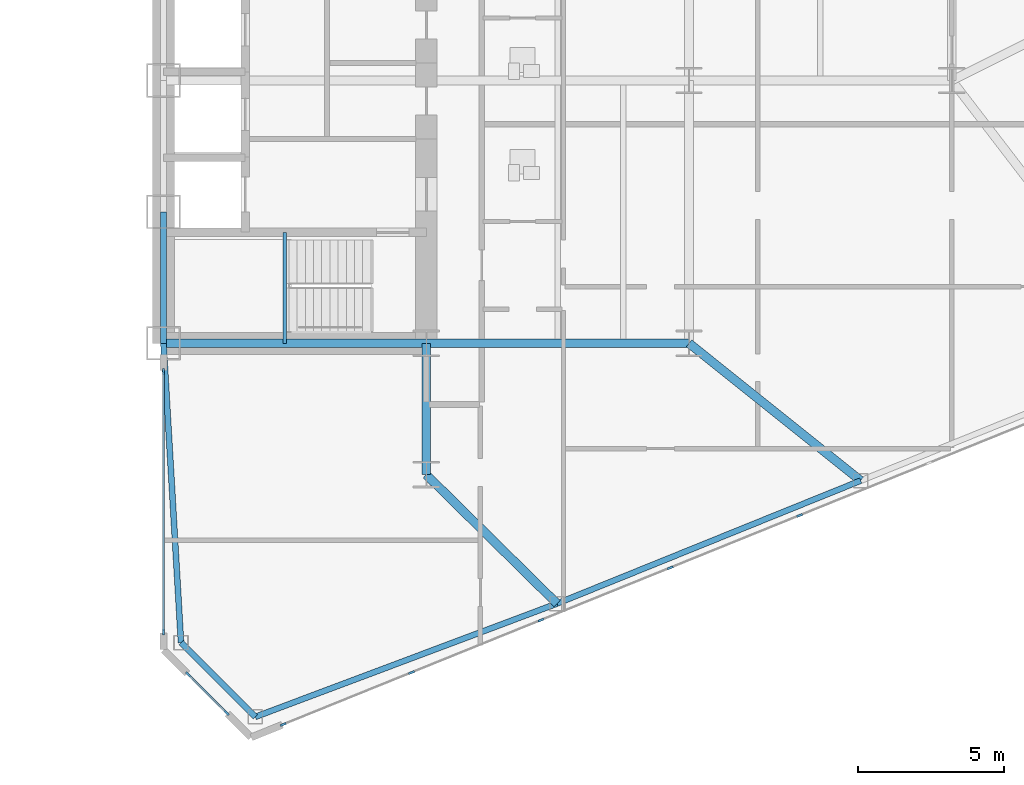
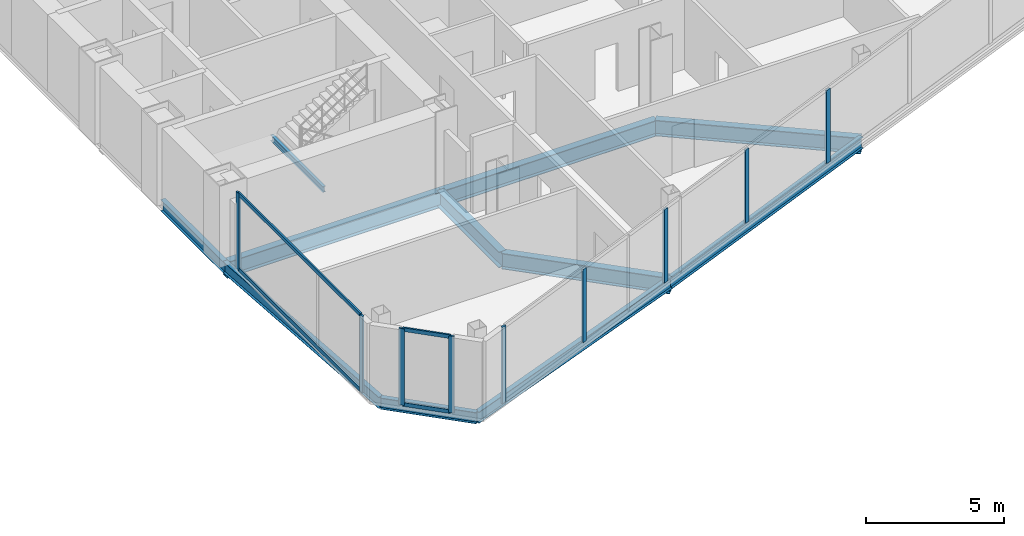
# One storey, part 9 of 25: 13 members, 11 beams, 3 elements without a shape of their own.
"""IFC4 building model written with IfcOpenShell, lengths in metres."""

from ifc_helpers import new_model, si_unit, direction, frame, origin, origin_2d, place, context, subcontext, project, spatial, rectangle, i_section, extrude, source, transform, mapped, material, layer, layer_set, material_profile, profile_set, type_object, type_shapes, element, aggregate, save


model = new_model("IFC4")

# Units and contexts
model_context = context("Model", 3, precision=1e-05, world=origin(), true_north=direction((0.0, 1.0)))
body_context = subcontext(model_context, "Body", "Model", "MODEL_VIEW")
ifc_project = project(units=[si_unit("LENGTHUNIT", "METRE"), si_unit("AREAUNIT", "SQUARE_METRE"), si_unit("VOLUMEUNIT", "CUBIC_METRE"), si_unit("PLANEANGLEUNIT", "RADIAN"), si_unit("MASSUNIT", "GRAM", prefix="KILO")], contexts=[model_context])

# Site, building, storey
site_placement = place(None, origin())
site = spatial("IfcSite", under=ifc_project, at=site_placement, CompositionType="ELEMENT")
building_placement = place(site_placement, origin())
building = spatial("IfcBuilding", under=site, at=building_placement, Name="Seokmaru Belvedere", CompositionType="ELEMENT")
storey_placement = place(building_placement, frame((0.0, 0.0, 29.699951171875)))
storey = spatial("IfcBuildingStorey", under=building, at=storey_placement, Name="L07", CompositionType="ELEMENT", Elevation=29.699951171875)

# Beams
ifc_material_1 = material(Name="Steel SM355 (355 MPa)", Category="steel")
ifc_material_profile_1 = material_profile(ifc_material_1, i_section(OverallWidth=0.199951171875, OverallDepth=0.5, WebThickness=0.010009765625, FlangeThickness=0.01611328125, at=origin_2d()), Name="H-500x200x10x16")
ifc_profile_set_1 = profile_set([ifc_material_profile_1], Name="Steel SM355 (355 MPa)")
beam_type_1 = type_object("IfcBeamType", Name="Perimeter Spandrel Beam H-500", PredefinedType="SPANDREL", material=ifc_profile_set_1)
shared_shape_1 = source(origin(), body_context, "Body", "SweptSolid", [
    extrude(i_section(OverallWidth=0.199951171875, OverallDepth=0.5, WebThickness=0.010009765625, FlangeThickness=0.01611328125, at=origin_2d()), origin(), (0.0, 0.0, 1.0), 4.5),
])
beam_1_placement = place(storey_placement, frame((27.5, -13.5, -0.469970703125), z_axis=(0.0, 1.0, 0.0), x_axis=(-1.0, 0.0, 0.0)))
element("IfcBeam", 1, at=beam_1_placement, inside=storey, type_object=beam_type_1, Name="L07 E Portal Spine Spandrel 1", PredefinedType="SPANDREL", context=body_context, shape_type="MappedRepresentation", body=[
    mapped(shared_shape_1, transform((0.0, 0.0, 0.0), scale=1.0)),
])
ifc_material_profile_2 = material_profile(ifc_material_1, i_section(OverallWidth=0.300048828125, OverallDepth=0.699951171875, WebThickness=0.012939453125, FlangeThickness=0.02392578125, at=origin_2d()), Name="H-700x300x13x24")
ifc_profile_set_2 = profile_set([ifc_material_profile_2], Name="Steel SM355 (355 MPa)")
beam_type_2 = type_object("IfcBeamType", Name="Primary Floor Girder H-700", PredefinedType="BEAM", material=ifc_profile_set_2)
shared_shape_2 = source(origin(), body_context, "Body", "SweptSolid", [
    extrude(i_section(OverallWidth=0.300048828125, OverallDepth=0.699951171875, WebThickness=0.012939453125, FlangeThickness=0.02392578125, at=origin_2d()), origin(), (0.0, 0.0, 1.0), 4.5),
])
beam_2_placement = place(storey_placement, frame((36.5, -18.0, -0.570068359375), z_axis=(0.0, 1.0, 0.0), x_axis=(-1.0, 0.0, 0.0)))
element("IfcBeam", 2, at=beam_2_placement, inside=storey, type_object=beam_type_2, Name="L07 E Core Shoulder Girder S", PredefinedType="BEAM", context=body_context, shape_type="MappedRepresentation", body=[
    mapped(shared_shape_2, transform((0.0, 0.0, 0.0), scale=1.0)),
])
shared_shape_3 = source(origin(), body_context, "Body", "SweptSolid", [
    extrude(i_section(OverallWidth=0.300048828125, OverallDepth=0.699951171875, WebThickness=0.012939453125, FlangeThickness=0.02392578125, at=origin_2d()), origin(), (0.0, 0.0, 1.0), 9.0),
])
for number, where, z_axis, x_axis, name in (
    (3, (27.5, -13.5, -0.570068359375), (1.0, 0.0, 0.0), (0.0, 1.0, 0.0), "L07 E Core Tie Girder 1"),
    (4, (36.5, -13.5, -0.570068359375), (1.0, 0.0, 0.0), (0.0, 1.0, 0.0), "L07 E Wing Primary Girder 1"),
):
    element("IfcBeam", number, at=place(storey_placement, frame(where, z_axis=z_axis, x_axis=x_axis)), inside=storey, type_object=beam_type_2, Name=name, PredefinedType="BEAM", context=body_context, shape_type="MappedRepresentation", body=[
        mapped(shared_shape_3, transform((0.0, 0.0, 0.0), scale=1.0)),
    ])
shared_shape_4 = source(origin(), body_context, "Body", "SweptSolid", [
    extrude(i_section(OverallWidth=0.199951171875, OverallDepth=0.5, WebThickness=0.010009765625, FlangeThickness=0.01611328125, at=origin_2d()), origin(), (0.0, 0.0, 1.0), 11.03857421875),
])
beam_3_placement = place(storey_placement, frame((30.643310546875, -26.294677734375, -0.469970703125), z_axis=(0.936169110734, 0.351549990907, 0.0), x_axis=(-0.351549990907, 0.936169110734, 0.0)))
element("IfcBeam", 5, at=beam_3_placement, inside=storey, type_object=beam_type_1, Name="L07 E Faceted Flank Spandrel S-1", PredefinedType="SPANDREL", context=body_context, shape_type="MappedRepresentation", body=[
    mapped(shared_shape_4, transform((0.0, 0.0, 0.0), scale=1.0)),
])
shared_shape_5 = source(origin(), body_context, "Body", "SweptSolid", [
    extrude(i_section(OverallWidth=0.199951171875, OverallDepth=0.5, WebThickness=0.010009765625, FlangeThickness=0.01611328125, at=origin_2d()), origin(), (0.0, 0.0, 1.0), 11.220703125),
])
beam_4_placement = place(storey_placement, frame((40.977294921875, -22.4140625, -0.469970703125), z_axis=(0.926944290816, 0.375198989503, 0.0), x_axis=(-0.375198989503, 0.926944290816, 0.0)))
element("IfcBeam", 6, at=beam_4_placement, inside=storey, type_object=beam_type_1, Name="L07 E Faceted Flank Spandrel S-2", PredefinedType="SPANDREL", context=body_context, shape_type="MappedRepresentation", body=[
    mapped(shared_shape_5, transform((0.0, 0.0, 0.0), scale=1.0)),
])
shared_shape_6 = source(origin(), body_context, "Body", "SweptSolid", [
    extrude(i_section(OverallWidth=0.199951171875, OverallDepth=0.5, WebThickness=0.010009765625, FlangeThickness=0.01611328125, at=origin_2d()), origin(), (0.0, 0.0, 1.0), 3.5966796875),
])
beam_5_placement = place(storey_placement, frame((30.643310546875, -26.294677734375, -0.469970703125), z_axis=(-0.707106781187, 0.707106781187, 0.0), x_axis=(-0.707106781187, -0.707106781187, 0.0)))
element("IfcBeam", 7, at=beam_5_placement, inside=storey, type_object=beam_type_1, Name="L07 E Shoulder Chamfer Spandrel S", PredefinedType="SPANDREL", context=body_context, shape_type="MappedRepresentation", body=[
    mapped(shared_shape_6, transform((0.0, 0.0, 0.0), scale=1.0)),
])
shared_shape_7 = source(origin(), body_context, "Body", "SweptSolid", [
    extrude(i_section(OverallWidth=0.199951171875, OverallDepth=0.5, WebThickness=0.010009765625, FlangeThickness=0.01611328125, at=origin_2d()), origin(), (0.0, 0.0, 1.0), 10.26904296875),
])
type_shapes(beam_type_1, [shared_shape_1, shared_shape_4, shared_shape_5, shared_shape_6, shared_shape_7])
beam_6_placement = place(storey_placement, frame((28.10009765625, -23.75146484375, -0.469970703125), z_axis=(-0.058437709399, 0.998291056817, 0.0), x_axis=(-0.998291056817, -0.058437709399, 0.0)))
element("IfcBeam", 8, at=beam_6_placement, inside=storey, type_object=beam_type_1, Name="L07 E Shoulder Spine Spandrel S", PredefinedType="SPANDREL", context=body_context, shape_type="MappedRepresentation", body=[
    mapped(shared_shape_7, transform((0.0, 0.0, 0.0), scale=1.0)),
])
shared_shape_8 = source(origin(), body_context, "Body", "SweptSolid", [
    extrude(i_section(OverallWidth=0.300048828125, OverallDepth=0.699951171875, WebThickness=0.012939453125, FlangeThickness=0.02392578125, at=origin_2d()), origin(), (0.0, 0.0, 1.0), 6.287353515625),
])
beam_7_placement = place(storey_placement, frame((40.977294921875, -22.4140625, -0.570068359375), z_axis=(-0.712117485263, 0.702060315915, 0.0), x_axis=(-0.702060315915, -0.712117485263, 0.0)))
element("IfcBeam", 9, at=beam_7_placement, inside=storey, type_object=beam_type_2, Name="L07 E Flank Radial Floor Girder S-1", PredefinedType="BEAM", context=body_context, shape_type="MappedRepresentation", body=[
    mapped(shared_shape_8, transform((0.0, 0.0, 0.0), scale=1.0)),
])
shared_shape_9 = source(origin(), body_context, "Body", "SweptSolid", [
    extrude(i_section(OverallWidth=0.300048828125, OverallDepth=0.699951171875, WebThickness=0.012939453125, FlangeThickness=0.02392578125, at=origin_2d()), origin(), (0.0, 0.0, 1.0), 7.52880859375),
])
type_shapes(beam_type_2, [shared_shape_2, shared_shape_3, shared_shape_8, shared_shape_9])
beam_8_placement = place(storey_placement, frame((51.378173828125, -18.2041015625, -0.570068359375), z_axis=(-0.780767560736, 0.624821587418, 0.0), x_axis=(-0.624821587418, -0.780767560736, 0.0)))
element("IfcBeam", 10, at=beam_8_placement, inside=storey, type_object=beam_type_2, Name="L07 E Flank Radial Floor Girder S-2", PredefinedType="BEAM", context=body_context, shape_type="MappedRepresentation", body=[
    mapped(shared_shape_9, transform((0.0, 0.0, 0.0), scale=1.0)),
])

# Curtain wall, member
ifc_material_2 = material(Name="Bronze Triple Insulating Glass", Category="glass")
ifc_layer = layer(ifc_material_2, 0.2099609375)
ifc_layer_set = layer_set([ifc_layer], Name="Bronze Triple Insulating Glass")
curtain_wall_type = type_object("IfcCurtainWallType", Name="Low-Rise Faceted Crystal Curtain Wall System CW-2", PredefinedType="NOTDEFINED", material=ifc_layer_set)
curtain_wall_1_placement = place(storey_placement, origin())
curtain_wall_1 = element("IfcCurtainWall", 11, at=curtain_wall_1_placement, inside=storey, type_object=curtain_wall_type, Name="L07 Curtain Wall EF1", PredefinedType="NOTDEFINED")
ifc_material_3 = material(Name="Anodised Bronze Aluminium", Category="aluminium")
ifc_material_profile_3 = material_profile(ifc_material_3, rectangle(XDim=0.074951171875, YDim=0.2099609375, at=origin_2d()), Name="CW-M-75x210")
ifc_profile_set_3 = profile_set([ifc_material_profile_3], Name="Anodised Bronze Aluminium")
member_type_1 = type_object("IfcMemberType", Name="Bronze Unitised Mullion 75x210", PredefinedType="MULLION", material=ifc_profile_set_3)
shared_shape_10 = source(origin(), body_context, "Body", "SweptSolid", [
    extrude(rectangle(XDim=0.074951171875, YDim=0.2099609375, at=origin_2d()), origin(), (0.0, 0.0, 1.0), 3.380126953125),
])
member_1_placement = place(storey_placement, frame((31.600830078125, -26.554443359375, 0.0), z_axis=(0.0, 0.0, 1.0), x_axis=(-0.375192321888, 0.926946989637, 0.0)))
member_1 = element("IfcMember", 12, at=member_1_placement, type_object=member_type_1, Name="CW:L07:EF1 Mullion 1", PredefinedType="MULLION", context=body_context, shape_type="MappedRepresentation", body=[
    mapped(shared_shape_10, transform((0.0, 0.0, 0.0), scale=1.0)),
])

# Curtain wall, members
curtain_wall_2_placement = place(storey_placement, origin())
curtain_wall_2 = element("IfcCurtainWall", 13, at=curtain_wall_2_placement, inside=storey, type_object=curtain_wall_type, Name="L07 Curtain Wall ESP_1", PredefinedType="NOTDEFINED")
member_2_placement = place(storey_placement, frame((27.5, -14.467529296875, 0.0), z_axis=(0.0, 0.0, 1.0), x_axis=(1.0, 0.0, 0.0)))
member_2 = element("IfcMember", 14, at=member_2_placement, type_object=member_type_1, Name="CW:L07:ESP_1 Mullion 1", PredefinedType="MULLION", context=body_context, shape_type="MappedRepresentation", body=[
    mapped(shared_shape_10, transform((0.0, 0.0, 0.0), scale=1.0)),
])
member_3_placement = place(storey_placement, frame((27.5, -23.392578125, 0.0), z_axis=(0.0, 0.0, 1.0), x_axis=(1.0, 0.0, 0.0)))
member_3 = element("IfcMember", 15, at=member_3_placement, type_object=member_type_1, Name="CW:L07:ESP_1 Mullion 2", PredefinedType="MULLION", context=body_context, shape_type="MappedRepresentation", body=[
    mapped(shared_shape_10, transform((0.0, 0.0, 0.0), scale=1.0)),
])

curtain_wall_3_placement = place(storey_placement, origin())
curtain_wall_3 = element("IfcCurtainWall", 16, at=curtain_wall_3_placement, inside=storey, type_object=curtain_wall_type, Name="L07 Curtain Wall EF6", PredefinedType="NOTDEFINED")
member_4_placement = place(storey_placement, frame((28.339599609375, -24.839599609375, 0.0), z_axis=(0.0, 0.0, 1.0), x_axis=(0.707106781187, 0.707106781187, 0.0)))
member_4 = element("IfcMember", 17, at=member_4_placement, type_object=member_type_1, Name="CW:L07:EF6 Mullion 1", PredefinedType="MULLION", context=body_context, shape_type="MappedRepresentation", body=[
    mapped(shared_shape_10, transform((0.0, 0.0, 0.0), scale=1.0)),
])
member_5_placement = place(storey_placement, frame((29.660400390625, -26.160400390625, 0.0), z_axis=(0.0, 0.0, 1.0), x_axis=(0.707106781187, 0.707106781187, 0.0)))
member_5 = element("IfcMember", 18, at=member_5_placement, type_object=member_type_1, Name="CW:L07:EF6 Mullion 2", PredefinedType="MULLION", context=body_context, shape_type="MappedRepresentation", body=[
    mapped(shared_shape_10, transform((0.0, 0.0, 0.0), scale=1.0)),
])

# Member
ifc_material_profile_4 = material_profile(ifc_material_3, rectangle(XDim=0.070068359375, YDim=0.1650390625, at=origin_2d()), Name="CW-T-70x165")
ifc_profile_set_4 = profile_set([ifc_material_profile_4], Name="Anodised Bronze Aluminium")
member_type_2 = type_object("IfcMemberType", Name="Bronze Unitised Transom 70x165", PredefinedType="USERDEFINED", material=ifc_profile_set_4)
shared_shape_11 = source(origin(), body_context, "Body", "SweptSolid", [
    extrude(rectangle(XDim=0.070068359375, YDim=0.1650390625, at=origin_2d()), origin(), (0.0, 0.0, 1.0), 8.85009765625),
])
member_6_placement = place(storey_placement, frame((27.5, -14.5048828125, 0.03515625), z_axis=(0.0, -1.0, 0.0), x_axis=(1.0, 0.0, 0.0)))
member_6 = element("IfcMember", 19, at=member_6_placement, type_object=member_type_2, Name="CW:L07:ESP_1 Continuous Transom 1", ObjectType="TRANSOM", PredefinedType="USERDEFINED", context=body_context, shape_type="MappedRepresentation", body=[
    mapped(shared_shape_11, transform((0.0, 0.0, 0.0), scale=1.0)),
])

member_7_placement = place(storey_placement, frame((27.5, -14.5048828125, 3.344970703125), z_axis=(0.0, -1.0, 0.0), x_axis=(1.0, 0.0, 0.0)))
member_7 = element("IfcMember", 20, at=member_7_placement, type_object=member_type_2, Name="CW:L07:ESP_1 Continuous Transom 2", ObjectType="TRANSOM", PredefinedType="USERDEFINED", context=body_context, shape_type="MappedRepresentation", body=[
    mapped(shared_shape_11, transform((0.0, 0.0, 0.0), scale=1.0)),
])

aggregate(curtain_wall_2, [member_2, member_3, member_6, member_7])

shared_shape_12 = source(origin(), body_context, "Body", "SweptSolid", [
    extrude(rectangle(XDim=0.070068359375, YDim=0.1650390625, at=origin_2d()), origin(), (0.0, 0.0, 1.0), 1.792724609375),
])
type_shapes(member_type_2, [shared_shape_11, shared_shape_12])
member_8_placement = place(storey_placement, frame((28.3662109375, -24.8662109375, 0.03515625), z_axis=(0.707106781187, -0.707106781187, 0.0), x_axis=(0.707106781187, 0.707106781187, 0.0)))
member_8 = element("IfcMember", 21, at=member_8_placement, type_object=member_type_2, Name="CW:L07:EF6 Continuous Transom 1", ObjectType="TRANSOM", PredefinedType="USERDEFINED", context=body_context, shape_type="MappedRepresentation", body=[
    mapped(shared_shape_12, transform((0.0, 0.0, 0.0), scale=1.0)),
])

member_9_placement = place(storey_placement, frame((28.3662109375, -24.8662109375, 3.344970703125), z_axis=(0.707106781187, -0.707106781187, 0.0), x_axis=(0.707106781187, 0.707106781187, 0.0)))
member_9 = element("IfcMember", 22, at=member_9_placement, type_object=member_type_2, Name="CW:L07:EF6 Continuous Transom 2", ObjectType="TRANSOM", PredefinedType="USERDEFINED", context=body_context, shape_type="MappedRepresentation", body=[
    mapped(shared_shape_12, transform((0.0, 0.0, 0.0), scale=1.0)),
])

aggregate(curtain_wall_3, [member_4, member_5, member_8, member_9])

shared_shape_13 = source(origin(), body_context, "Body", "SweptSolid", [
    extrude(rectangle(XDim=0.074951171875, YDim=0.2099609375, at=origin_2d()), origin(), (0.0, 0.0, 1.0), 3.239990234375),
])
type_shapes(member_type_1, [shared_shape_10, shared_shape_13])
member_10_placement = place(storey_placement, frame((35.995849609375, -24.775390625, 0.070068359375), z_axis=(0.0, 0.0, 1.0), x_axis=(-0.375192321888, 0.926946989637, 0.0)))
member_10 = element("IfcMember", 23, at=member_10_placement, type_object=member_type_1, Name="CW:L07:EF1 Mullion 2", PredefinedType="MULLION", context=body_context, shape_type="MappedRepresentation", body=[
    mapped(shared_shape_13, transform((0.0, 0.0, 0.0), scale=1.0)),
])

member_11_placement = place(storey_placement, frame((40.425537109375, -22.982421875, 0.070068359375), z_axis=(0.0, 0.0, 1.0), x_axis=(-0.375192321888, 0.926946989637, 0.0)))
member_11 = element("IfcMember", 24, at=member_11_placement, type_object=member_type_1, Name="CW:L07:EF1 Mullion 3", PredefinedType="MULLION", context=body_context, shape_type="MappedRepresentation", body=[
    mapped(shared_shape_13, transform((0.0, 0.0, 0.0), scale=1.0)),
])

member_12_placement = place(storey_placement, frame((44.855224609375, -21.189453125, 0.070068359375), z_axis=(0.0, 0.0, 1.0), x_axis=(-0.375192321888, 0.926946989637, 0.0)))
member_12 = element("IfcMember", 25, at=member_12_placement, type_object=member_type_1, Name="CW:L07:EF1 Mullion 4", PredefinedType="MULLION", context=body_context, shape_type="MappedRepresentation", body=[
    mapped(shared_shape_13, transform((0.0, 0.0, 0.0), scale=1.0)),
])

member_13_placement = place(storey_placement, frame((49.28515625, -19.396484375, 0.070068359375), z_axis=(0.0, 0.0, 1.0), x_axis=(-0.375192321888, 0.926946989637, 0.0)))
member_13 = element("IfcMember", 26, at=member_13_placement, type_object=member_type_1, Name="CW:L07:EF1 Mullion 5", PredefinedType="MULLION", context=body_context, shape_type="MappedRepresentation", body=[
    mapped(shared_shape_13, transform((0.0, 0.0, 0.0), scale=1.0)),
])

aggregate(curtain_wall_1, [member_1, member_10, member_11, member_12, member_13])

# Beam
ifc_material_profile_5 = material_profile(ifc_material_1, i_section(OverallWidth=0.125, OverallDepth=0.25, WebThickness=0.006103515625, FlangeThickness=0.009033203125, at=origin_2d()), Name="H-250x125x6x9")
ifc_profile_set_5 = profile_set([ifc_material_profile_5], Name="Steel SM355 (355 MPa)")
beam_type_3 = type_object("IfcBeamType", Name="Stair Mid-Landing Support Beam H-250", PredefinedType="JOIST", material=ifc_profile_set_5)
shared_shape_14 = source(origin(), body_context, "Body", "SweptSolid", [
    extrude(i_section(OverallWidth=0.125, OverallDepth=0.25, WebThickness=0.006103515625, FlangeThickness=0.009033203125, at=origin_2d()), origin(), (0.0, 0.0, 1.0), 3.800048828125),
])
type_shapes(beam_type_3, [shared_shape_14])
beam_9_placement = place(storey_placement, frame((31.64990234375, -13.5, 1.47509765625), z_axis=(0.0, 1.0, 0.0), x_axis=(-1.0, 0.0, 0.0)))
element("IfcBeam", 27, at=beam_9_placement, inside=storey, type_object=beam_type_3, Name="L07 Stair ST-E1 Mid-Landing Support Beam 1", PredefinedType="JOIST", context=body_context, shape_type="MappedRepresentation", body=[
    mapped(shared_shape_14, transform((0.0, 0.0, 0.0), scale=1.0)),
])

save(model, "model.ifc")
